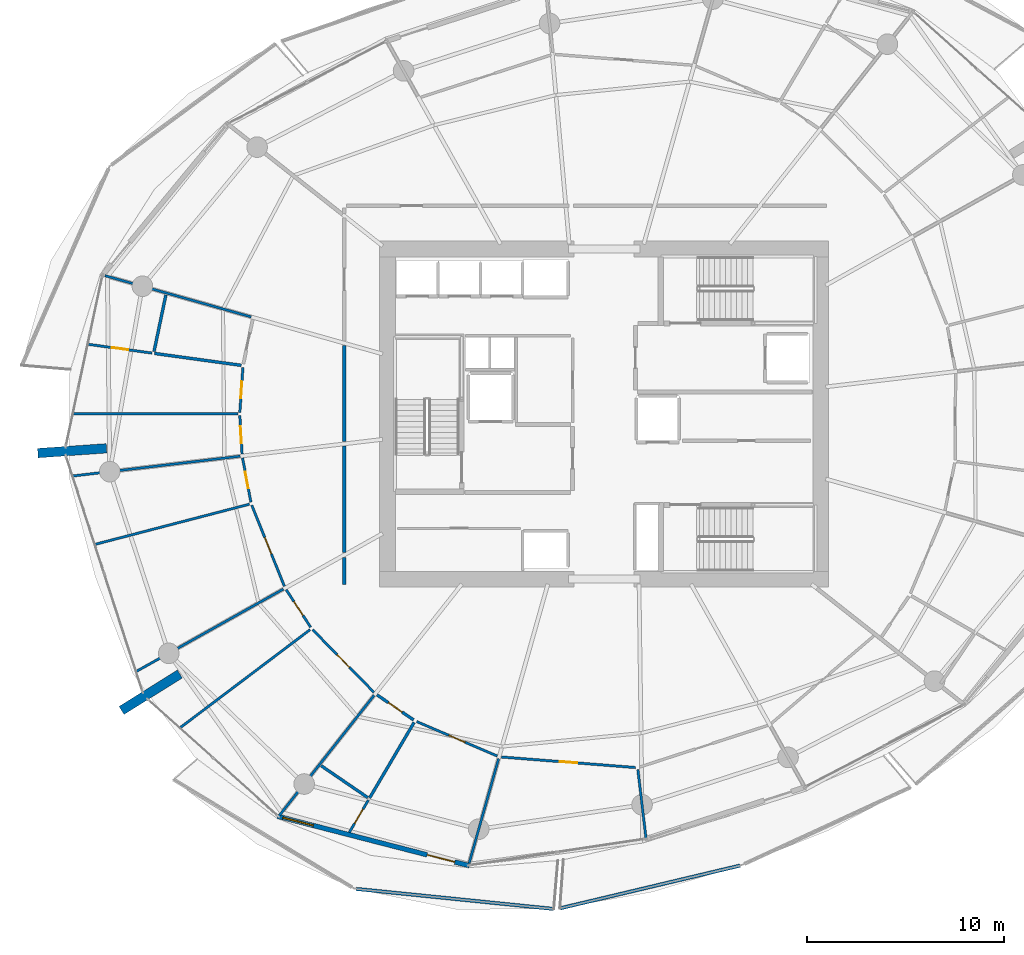
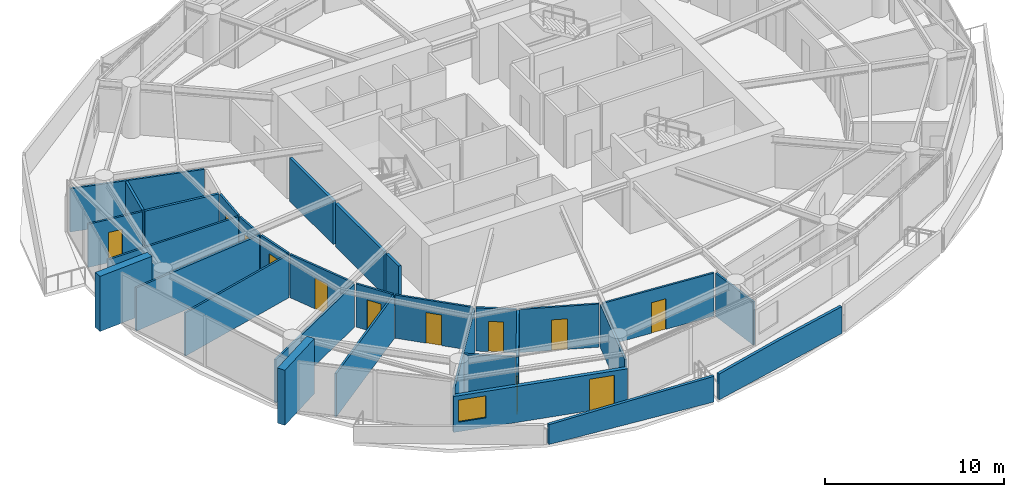
# One storey, part 11 of 20: 32 walls, 12 doors, 1 window, 13 openings.
"""IFC4 building model written with IfcOpenShell, lengths in metres."""

from ifc_helpers import new_model, si_unit, direction, frame, frame_2d, origin, place, context, subcontext, project, spatial, polyline, rectangle, outline, extrude, material, layer, layer_set, type_object, element, fill, save


model = new_model("IFC4")

# Units and contexts
model_context = context("Model", 3, precision=1e-05, world=origin(), true_north=direction((0.0, 1.0)))
body_context = subcontext(model_context, "Body", "Model", "MODEL_VIEW")
ifc_project = project(units=[si_unit("LENGTHUNIT", "METRE"), si_unit("AREAUNIT", "SQUARE_METRE"), si_unit("VOLUMEUNIT", "CUBIC_METRE"), si_unit("PLANEANGLEUNIT", "RADIAN"), si_unit("MASSUNIT", "GRAM", prefix="KILO")], contexts=[model_context])

# Site, building, storey
site_placement = place(None, origin())
site = spatial("IfcSite", under=ifc_project, at=site_placement, CompositionType="ELEMENT")
building_placement = place(site_placement, origin())
building = spatial("IfcBuilding", under=site, at=building_placement, Name="Kazma Halo Residences", CompositionType="ELEMENT")
storey_placement = place(building_placement, frame((0.0, 0.0, 139.050048828125)))
storey = spatial("IfcBuildingStorey", under=building, at=storey_placement, Name="L34", CompositionType="ELEMENT", Elevation=139.050048828125)

# Walls
ifc_material_1 = material(Name="White Concrete C50/60 Balustrade", Category="concrete")
ifc_layer_1 = layer(ifc_material_1, 0.179931640625)
ifc_layer_set_1 = layer_set([ifc_layer_1], Name="White Concrete C50/60 Balustrade")
wall_type_1 = type_object("IfcWallType", Name="WL-BAL-WAVE-180", PredefinedType="PARAPET", material=ifc_layer_set_1)
wall_1_placement = place(storey_placement, frame((35.814697265625, 17.83837890625, 0.0), z_axis=(0.0, 0.0, 1.0), x_axis=(0.994889887917, -0.100965889886, 0.0)))
element("IfcWall", 1, at=wall_1_placement, inside=storey, type_object=wall_type_1, Name="L34 white wave balustrade wall SW.2", PredefinedType="PARAPET", context=body_context, shape_type="SweptSolid", body=[
    extrude(outline(polyline([(0.0, 0.0), (10.10009765625, 0.0), (10.10009765625, 1.7470703125), (5.050048828125, 1.56201171875), (0.0, 1.347900390625), (0.0, 0.0)])), frame((0.0, 0.08984375, 0.0), z_axis=(0.0, -1.0, 0.0), x_axis=(1.0, 0.0, 0.0)), (0.0, 0.0, 1.0), 0.179931640625),
])
wall_2_placement = place(storey_placement, frame((46.175048828125, 16.849365234375, 0.0), z_axis=(0.0, 0.0, 1.0), x_axis=(0.972947039014, 0.231028265098, 0.0)))
element("IfcWall", 2, at=wall_2_placement, inside=storey, type_object=wall_type_1, Name="L34 white wave balustrade wall SSE.1", PredefinedType="PARAPET", context=body_context, shape_type="SweptSolid", body=[
    extrude(outline(polyline([(0.0, 0.0), (9.4189453125, 0.0), (9.418701171875, 1.83203125), (4.70947265625, 1.85302734375), (0.0, 1.755859375), (0.0, 0.0)])), frame((0.0, 0.08984375, 0.0), z_axis=(0.0, -1.0, 0.0), x_axis=(1.0, 0.0, 0.0)), (0.0, 0.0, 1.0), 0.179931640625),
])
ifc_material_2 = material(Name="Pale Concrete C60/75", Category="concrete")
ifc_layer_2 = layer(ifc_material_2, 0.47998046875)
ifc_layer_set_2 = layer_set([ifc_layer_2], Name="Pale Concrete C60/75")
wall_type_2 = type_object("IfcWallType", Name="WL-BLADE-480", PredefinedType="SOLIDWALL", material=ifc_layer_set_2)
for number, where, z_axis, x_axis, name in (
    (3, (23.10302734375, 40.259033203125, 0.0), (0.0, 0.0, 1.0), (-0.997564163539, -0.069754853754, 0.0), "L34 pale concrete structural blade fin wall BW-02"),
    (4, (26.834716796875, 28.7744140625, 0.0), (0.0, 0.0, 1.0), (-0.848053161125, -0.529911158502, 0.0), "L34 pale concrete structural blade fin wall BW-03"),
):
    element("IfcWall", number, at=place(storey_placement, frame(where, z_axis=z_axis, x_axis=x_axis)), inside=storey, type_object=wall_type_2, Name=name, PredefinedType="SOLIDWALL", context=body_context, shape_type="SweptSolid", body=[
        extrude(rectangle(XDim=3.5, YDim=0.47998046875, at=frame_2d((1.75, 0.0))), origin(), (0.0, 0.0, 1.0), 3.75),
    ])
ifc_material_3 = material(Name="Acoustic Twin-Stud Gypsum")
ifc_layer_3 = layer(ifc_material_3, 0.179931640625)
ifc_layer_set_3 = layer_set([ifc_layer_3], Name="Acoustic Twin-Stud Gypsum")
wall_type_3 = type_object("IfcWallType", Name="WL-DEM-180", PredefinedType="PARTITIONING", material=ifc_layer_set_3)
wall_3_placement = place(storey_placement, frame((35.199951171875, 45.489990234375, 0.0), z_axis=(0.0, 0.0, 1.0), x_axis=(0.0, -1.0, 0.0)))
element("IfcWall", 5, at=wall_3_placement, inside=storey, type_object=wall_type_3, Name="L34 Apartment 1 inner wall 6", PredefinedType="PARTITIONING", context=body_context, shape_type="SweptSolid", body=[
    extrude(rectangle(XDim=4.885009765625, YDim=0.179931640625, at=frame_2d((2.4423828125, 0.0))), origin(), (0.0, 0.0, 1.0), 2.93994140625),
])
wall_4_placement = place(storey_placement, frame((35.199951171875, 40.364990234375, 0.0), z_axis=(0.0, 0.0, 1.0), x_axis=(0.0, -1.0, 0.0)))
element("IfcWall", 6, at=wall_4_placement, inside=storey, type_object=wall_type_3, Name="L34 Apartment 1 inner wall 7", PredefinedType="PARTITIONING", context=body_context, shape_type="SweptSolid", body=[
    extrude(rectangle(XDim=5.413330078125, YDim=0.179931640625, at=frame_2d((2.70654296875, 0.0))), origin(), (0.0, 0.0, 1.0), 2.93994140625),
])
wall_5_placement = place(storey_placement, frame((35.199951171875, 34.711669921875, 0.0), z_axis=(0.0, 0.0, 1.0), x_axis=(0.0, -1.0, 0.0)))
element("IfcWall", 7, at=wall_5_placement, inside=storey, type_object=wall_type_3, Name="L34 Apartment 1 inner wall 8", PredefinedType="PARTITIONING", context=body_context, shape_type="SweptSolid", body=[
    extrude(rectangle(XDim=1.3916015625, YDim=0.179931640625, at=frame_2d((0.69580078125, 0.0))), origin(), (0.0, 0.0, 1.0), 2.93994140625),
])

# Wall, openings, door, window
ifc_material_4 = material(Name="Insulated Pale-Metal Composite Wall")
ifc_layer_4 = layer(ifc_material_4, 0.239990234375)
ifc_layer_set_4 = layer_set([ifc_layer_4], Name="Insulated Pale-Metal Composite Wall")
wall_type_4 = type_object("IfcWallType", Name="WL-EXT-HOST-240", PredefinedType="SOLIDWALL", material=ifc_layer_set_4)
wall_6_placement = place(storey_placement, frame((31.807861328125, 21.5341796875, 0.0), z_axis=(0.0, 0.0, 1.0), x_axis=(0.968379685126, -0.249481032214, 0.0)))
wall_6 = element("IfcWall", 8, at=wall_6_placement, inside=storey, type_object=wall_type_4, Name="L34 exterior terrace-access wall B10", PredefinedType="SOLIDWALL", context=body_context, shape_type="SweptSolid", body=[
    extrude(rectangle(XDim=10.08154296875, YDim=0.239990234375, at=frame_2d((5.040771484375, 0.0))), origin(), (0.0, 0.0, 1.0), 2.449951171875),
])
opening_1_placement = place(wall_6_placement, frame((7.861572265625, 0.0, 0.0)))
opening_1 = element("IfcOpeningElement", 9, at=opening_1_placement, cuts=wall_6, Name="Opening DTR-1600", PredefinedType="OPENING", context=body_context, shape_type="SweptSolid", body=[
    extrude(rectangle(XDim=1.449951171875, YDim=2.14990234375, at=frame_2d((0.72509765625, 1.074951171875))), frame((0.0, 0.1298828125, 0.0), z_axis=(0.0, -1.0, 0.0), x_axis=(1.0, 0.0, 0.0)), (0.0, 0.0, 1.0), 0.260009765625),
])
opening_2_placement = place(wall_6_placement, frame((0.280029296875, 0.0, 0.64990234375)))
opening_2 = element("IfcOpeningElement", 10, at=opening_2_placement, cuts=wall_6, Name="Opening W-1800", PredefinedType="OPENING", context=body_context, shape_type="SweptSolid", body=[
    extrude(rectangle(XDim=1.60009765625, YDim=1.5, at=frame_2d((0.800048828125, 0.75))), frame((0.0, 0.1298828125, 0.0), z_axis=(0.0, -1.0, 0.0), x_axis=(1.0, 0.0, 0.0)), (0.0, 0.0, 1.0), 0.260009765625),
])
ifc_material_5 = material(Name="Aluminium AW-6063 T6 Double-Glazed Terrace Door", Category="aluminium")
door_type_1 = type_object("IfcDoorType", Name="DR-EXT-TERR-1600", OperationType="NOTDEFINED", PredefinedType="DOOR", material=ifc_material_5)
door_1_placement = place(opening_1_placement, origin())
door_1 = element("IfcDoor", 11, at=door_1_placement, inside=storey, type_object=door_type_1, Name="L34 B10 balcony terrace door", OperationType="DOUBLE_DOOR_SLIDING", OverallHeight=2.14990234375, OverallWidth=1.449951171875, PredefinedType="DOOR", context=body_context, shape_type="SweptSolid", body=[
    extrude(rectangle(XDim=1.449951171875, YDim=2.14990234375, at=frame_2d((0.72509765625, 1.074951171875))), frame((0.0, 0.02490234375, 0.0), z_axis=(0.0, -1.0, 0.0), x_axis=(1.0, 0.0, 0.0)), (0.0, 0.0, 1.0), 0.050048828125),
])
fill(opening_1, door_1)
ifc_material_6 = material(Name="Clear Triple-Silver Low-E Glass in Aluminium AW-6063 T6 Frame", Category="aluminium")
window_type = type_object("IfcWindowType", Name="WIN-RES-1800", PartitioningType="DOUBLE_PANEL_VERTICAL", PredefinedType="WINDOW", material=ifc_material_6)
window_placement = place(opening_2_placement, origin())
window = element("IfcWindow", 12, at=window_placement, inside=storey, type_object=window_type, Name="L34 B10 apartment window", OverallHeight=1.5, OverallWidth=1.60009765625, PartitioningType="SINGLE_PANEL", PredefinedType="WINDOW", context=body_context, shape_type="SweptSolid", body=[
    extrude(rectangle(XDim=1.60009765625, YDim=1.5, at=frame_2d((0.800048828125, 0.75))), frame((0.0, 0.030029296875, 0.0), z_axis=(0.0, -1.0, 0.0), x_axis=(1.0, 0.0, 0.0)), (0.0, 0.0, 1.0), 0.06005859375),
])
fill(opening_2, window)

# Wall
ifc_material_7 = material(Name="Gypsum Plasterboard Partition")
ifc_layer_5 = layer(ifc_material_7, 0.125)
ifc_layer_set_5 = layer_set([ifc_layer_5], Name="Gypsum Plasterboard Partition")
wall_type_5 = type_object("IfcWallType", Name="WL-PART-125", PredefinedType="PARTITIONING", material=ifc_layer_set_5)
wall_7_placement = place(storey_placement, frame((30.465087890625, 46.9453125, 0.0), z_axis=(0.0, 0.0, 1.0), x_axis=(-0.962456021196, 0.271437667363, 0.0)))
element("IfcWall", 13, at=wall_7_placement, inside=storey, type_object=wall_type_5, Name="L34 Apartment 1 radial partition 6", PredefinedType="PARTITIONING", context=body_context, shape_type="SweptSolid", body=[
    extrude(rectangle(XDim=7.732421875, YDim=0.125, at=frame_2d((3.8662109375, 0.0))), origin(), (0.0, 0.0, 1.0), 2.93994140625),
])

# Wall, opening, door
wall_8_placement = place(storey_placement, frame((25.41357421875, 45.10595703125, 0.0), z_axis=(0.0, 0.0, 1.0), x_axis=(-0.990676070786, 0.136238477576, 0.0)))
wall_8 = element("IfcWall", 14, at=wall_8_placement, inside=storey, type_object=wall_type_5, Name="L34 Apartment 1 Household Store Room partition wall", PredefinedType="PARTITIONING", context=body_context, shape_type="SweptSolid", body=[
    extrude(rectangle(XDim=3.272216796875, YDim=0.125, at=frame_2d((1.63623046875, 0.0))), origin(), (0.0, 0.0, 1.0), 2.93994140625),
])
opening_3_placement = place(wall_8_placement, frame((1.211181640625, 0.0, 0.0)))
opening_3 = element("IfcOpeningElement", 15, at=opening_3_placement, cuts=wall_8, Name="Opening DB-900", PredefinedType="OPENING", context=body_context, shape_type="SweptSolid", body=[
    extrude(rectangle(XDim=0.85009765625, YDim=2.06005859375, at=frame_2d((0.425048828125, 1.030029296875))), frame((0.0, 0.072509765625, 0.0), z_axis=(0.0, -1.0, 0.0), x_axis=(1.0, 0.0, 0.0)), (0.0, 0.0, 1.0), 0.14501953125),
])
ifc_material_8 = material(Name="Moisture-Sealed Timber Leaf", Category="wood")
door_type_2 = type_object("IfcDoorType", Name="DR-BTH-900", OperationType="NOTDEFINED", PredefinedType="DOOR", material=ifc_material_8)
door_2_placement = place(opening_3_placement, origin())
door_2 = element("IfcDoor", 16, at=door_2_placement, inside=storey, type_object=door_type_2, Name="L34 Apartment 1 Household Store Room door", OperationType="SINGLE_SWING_RIGHT", OverallHeight=2.06005859375, OverallWidth=0.85009765625, PredefinedType="DOOR", context=body_context, shape_type="SweptSolid", body=[
    extrude(rectangle(XDim=0.85009765625, YDim=2.06005859375, at=frame_2d((0.425048828125, 1.030029296875))), frame((0.0, 0.02490234375, 0.0), z_axis=(0.0, -1.0, 0.0), x_axis=(1.0, 0.0, 0.0)), (0.0, 0.0, 1.0), 0.050048828125),
])
fill(opening_3, door_2)

# Wall
wall_9_placement = place(storey_placement, frame((29.791015625, 42.009521484375, 0.0), z_axis=(0.0, 0.0, 1.0), x_axis=(-0.999999862447, 0.000524506018, 0.0)))
element("IfcWall", 17, at=wall_9_placement, inside=storey, type_object=wall_type_5, Name="L34 Apartment 1 suite divider 6", PredefinedType="PARTITIONING", context=body_context, shape_type="SweptSolid", body=[
    extrude(rectangle(XDim=8.37841796875, YDim=0.125, at=frame_2d((4.189208984375, 0.0))), origin(), (0.0, 0.0, 1.0), 2.93994140625),
])

# Wall, opening, door
wall_10_placement = place(storey_placement, frame((30.043701171875, 44.378662109375, 0.0), z_axis=(0.0, 0.0, 1.0), x_axis=(-0.068510010266, -0.997650429005, 0.0)))
wall_10 = element("IfcWall", 18, at=wall_10_placement, inside=storey, type_object=wall_type_5, Name="L34 Apartment 1 Gourmet Kitchen hall wall", PredefinedType="PARTITIONING", context=body_context, shape_type="SweptSolid", body=[
    extrude(rectangle(XDim=2.294921875, YDim=0.125, at=frame_2d((1.1474609375, 0.0))), origin(), (0.0, 0.0, 1.0), 2.93994140625),
])
opening_4_placement = place(wall_10_placement, frame((0.722412109375, 0.0, 0.0)))
opening_4 = element("IfcOpeningElement", 19, at=opening_4_placement, cuts=wall_10, Name="Opening DB-900", PredefinedType="OPENING", context=body_context, shape_type="SweptSolid", body=[
    extrude(rectangle(XDim=0.85009765625, YDim=2.06005859375, at=frame_2d((0.425048828125, 1.030029296875))), frame((0.0, 0.072509765625, 0.0), z_axis=(0.0, -1.0, 0.0), x_axis=(1.0, 0.0, 0.0)), (0.0, 0.0, 1.0), 0.14501953125),
])
door_3_placement = place(opening_4_placement, origin())
door_3 = element("IfcDoor", 20, at=door_3_placement, inside=storey, type_object=door_type_2, Name="L34 Apartment 1 Gourmet Kitchen door", OperationType="SINGLE_SWING_LEFT", OverallHeight=2.06005859375, OverallWidth=0.85009765625, PredefinedType="DOOR", context=body_context, shape_type="SweptSolid", body=[
    extrude(rectangle(XDim=0.85009765625, YDim=2.06005859375, at=frame_2d((0.425048828125, 1.030029296875))), frame((0.0, 0.02490234375, 0.0), z_axis=(0.0, -1.0, 0.0), x_axis=(1.0, 0.0, 0.0)), (0.0, 0.0, 1.0), 0.050048828125),
])
fill(opening_4, door_3)

wall_11_placement = place(storey_placement, frame((29.8857421875, 41.929443359375, 0.0), z_axis=(0.0, 0.0, 1.0), x_axis=(0.058590761666, -0.998282085709, 0.0)))
wall_11 = element("IfcWall", 21, at=wall_11_placement, inside=storey, type_object=wall_type_5, Name="L34 Apartment 1 Primary Bedroom hall wall", PredefinedType="PARTITIONING", context=body_context, shape_type="SweptSolid", body=[
    extrude(rectangle(XDim=1.962646484375, YDim=0.125, at=frame_2d((0.9814453125, 0.0))), origin(), (0.0, 0.0, 1.0), 2.93994140625),
])
opening_5_placement = place(wall_11_placement, frame((0.556396484375, 0.0, 0.0)))
opening_5 = element("IfcOpeningElement", 22, at=opening_5_placement, cuts=wall_11, Name="Opening DB-900", PredefinedType="OPENING", context=body_context, shape_type="SweptSolid", body=[
    extrude(rectangle(XDim=0.85009765625, YDim=2.06005859375, at=frame_2d((0.425048828125, 1.030029296875))), frame((0.0, 0.072509765625, 0.0), z_axis=(0.0, -1.0, 0.0), x_axis=(1.0, 0.0, 0.0)), (0.0, 0.0, 1.0), 0.14501953125),
])
door_4_placement = place(opening_5_placement, origin())
door_4 = element("IfcDoor", 23, at=door_4_placement, inside=storey, type_object=door_type_2, Name="L34 Apartment 1 Primary Bedroom door", OperationType="SINGLE_SWING_RIGHT", OverallHeight=2.06005859375, OverallWidth=0.85009765625, PredefinedType="DOOR", context=body_context, shape_type="SweptSolid", body=[
    extrude(rectangle(XDim=0.85009765625, YDim=2.06005859375, at=frame_2d((0.425048828125, 1.030029296875))), frame((0.0, 0.02490234375, 0.0), z_axis=(0.0, -1.0, 0.0), x_axis=(1.0, 0.0, 0.0)), (0.0, 0.0, 1.0), 0.050048828125),
])
fill(opening_5, door_4)

# Walls
wall_12_placement = place(storey_placement, frame((29.9072265625, 39.8583984375, 0.0), z_axis=(0.0, 0.0, 1.0), x_axis=(-0.993070228419, -0.117522429465, 0.0)))
element("IfcWall", 24, at=wall_12_placement, inside=storey, type_object=wall_type_5, Name="L34 Apartment 1 radial partition 7", PredefinedType="PARTITIONING", context=body_context, shape_type="SweptSolid", body=[
    extrude(rectangle(XDim=8.567138671875, YDim=0.125, at=frame_2d((4.28369140625, 0.0))), origin(), (0.0, 0.0, 1.0), 2.93994140625),
])
wall_13_placement = place(storey_placement, frame((30.37744140625, 37.416259765625, 0.0), z_axis=(0.0, 0.0, 1.0), x_axis=(-0.967798305948, -0.251726913549, 0.0)))
element("IfcWall", 25, at=wall_13_placement, inside=storey, type_object=wall_type_5, Name="L34 Apartment 1 mid-bay wall 7", PredefinedType="PARTITIONING", context=body_context, shape_type="SweptSolid", body=[
    extrude(rectangle(XDim=8.109130859375, YDim=0.125, at=frame_2d((4.0546875, 0.0))), origin(), (0.0, 0.0, 1.0), 2.93994140625),
])

# Wall, opening, door
wall_14_placement = place(storey_placement, frame((30.025146484375, 39.77197265625, 0.0), z_axis=(0.0, 0.0, 1.0), x_axis=(0.185072404157, -0.98272488786, 0.0)))
wall_14 = element("IfcWall", 26, at=wall_14_placement, inside=storey, type_object=wall_type_5, Name="L34 Apartment 1 Primary Wine Pantry Store hall wall", PredefinedType="PARTITIONING", context=body_context, shape_type="SweptSolid", body=[
    extrude(rectangle(XDim=2.2939453125, YDim=0.125, at=frame_2d((1.14697265625, 0.0))), origin(), (0.0, 0.0, 1.0), 2.93994140625),
])
opening_6_placement = place(wall_14_placement, frame((0.72216796875, 0.0, 0.0)))
opening_6 = element("IfcOpeningElement", 27, at=opening_6_placement, cuts=wall_14, Name="Opening DB-900", PredefinedType="OPENING", context=body_context, shape_type="SweptSolid", body=[
    extrude(rectangle(XDim=0.85009765625, YDim=2.06005859375, at=frame_2d((0.425048828125, 1.030029296875))), frame((0.0, 0.072509765625, 0.0), z_axis=(0.0, -1.0, 0.0), x_axis=(1.0, 0.0, 0.0)), (0.0, 0.0, 1.0), 0.14501953125),
])
door_5_placement = place(opening_6_placement, origin())
door_5 = element("IfcDoor", 28, at=door_5_placement, inside=storey, type_object=door_type_2, Name="L34 Apartment 1 Primary Wine Pantry Store door", OperationType="SINGLE_SWING_RIGHT", OverallHeight=2.06005859375, OverallWidth=0.85009765625, PredefinedType="DOOR", context=body_context, shape_type="SweptSolid", body=[
    extrude(rectangle(XDim=0.85009765625, YDim=2.06005859375, at=frame_2d((0.425048828125, 1.030029296875))), frame((0.0, 0.02490234375, 0.0), z_axis=(0.0, -1.0, 0.0), x_axis=(1.0, 0.0, 0.0)), (0.0, 0.0, 1.0), 0.050048828125),
])
fill(opening_6, door_5)

wall_15_placement = place(storey_placement, frame((30.494384765625, 37.36474609375, 0.0), z_axis=(0.0, 0.0, 1.0), x_axis=(0.373198093248, -0.927751681861, 0.0)))
wall_15 = element("IfcWall", 29, at=wall_15_placement, inside=storey, type_object=wall_type_5, Name="L34 Apartment 1 Secondary Formal Dining Room hall wall", PredefinedType="PARTITIONING", context=body_context, shape_type="SweptSolid", body=[
    extrude(rectangle(XDim=4.446533203125, YDim=0.125, at=frame_2d((2.22314453125, 0.0))), origin(), (0.0, 0.0, 1.0), 2.93994140625),
])
opening_7_placement = place(wall_15_placement, frame((1.773193359375, 0.0, 0.0)))
opening_7 = element("IfcOpeningElement", 30, at=opening_7_placement, cuts=wall_15, Name="Opening DI-950", PredefinedType="OPENING", context=body_context, shape_type="SweptSolid", body=[
    extrude(rectangle(XDim=0.89990234375, YDim=2.080078125, at=frame_2d((0.449951171875, 1.0400390625))), frame((0.0, 0.072509765625, 0.0), z_axis=(0.0, -1.0, 0.0), x_axis=(1.0, 0.0, 0.0)), (0.0, 0.0, 1.0), 0.14501953125),
])
ifc_material_9 = material(Name="Timber Veneer Flush Leaf", Category="wood")
door_type_3 = type_object("IfcDoorType", Name="DR-INT-950", OperationType="NOTDEFINED", PredefinedType="DOOR", material=ifc_material_9)
door_6_placement = place(opening_7_placement, origin())
door_6 = element("IfcDoor", 31, at=door_6_placement, inside=storey, type_object=door_type_3, Name="L34 Apartment 1 Secondary Formal Dining Room door", OperationType="SINGLE_SWING_LEFT", OverallHeight=2.080078125, OverallWidth=0.89990234375, PredefinedType="DOOR", context=body_context, shape_type="SweptSolid", body=[
    extrude(rectangle(XDim=0.89990234375, YDim=2.080078125, at=frame_2d((0.449951171875, 1.0400390625))), frame((0.0, 0.02490234375, 0.0), z_axis=(0.0, -1.0, 0.0), x_axis=(1.0, 0.0, 0.0)), (0.0, 0.0, 1.0), 0.050048828125),
])
fill(opening_7, door_6)

# Walls
wall_16_placement = place(storey_placement, frame((32.10400390625, 33.097900390625, 0.0), z_axis=(0.0, 0.0, 1.0), x_axis=(-0.872488035617, -0.488635475283, 0.0)))
element("IfcWall", 32, at=wall_16_placement, inside=storey, type_object=wall_type_5, Name="L34 Apartment 1 radial partition 8", PredefinedType="PARTITIONING", context=body_context, shape_type="SweptSolid", body=[
    extrude(rectangle(XDim=8.5673828125, YDim=0.125, at=frame_2d((4.28369140625, 0.0))), origin(), (0.0, 0.0, 1.0), 2.93994140625),
])
wall_17_placement = place(storey_placement, frame((33.46435546875, 31.03271484375, 0.0), z_axis=(0.0, 0.0, 1.0), x_axis=(-0.798260006805, -0.602313009602, 0.0)))
element("IfcWall", 33, at=wall_17_placement, inside=storey, type_object=wall_type_5, Name="L34 Apartment 1 mid-bay wall 8", PredefinedType="PARTITIONING", context=body_context, shape_type="SweptSolid", body=[
    extrude(rectangle(XDim=8.283203125, YDim=0.125, at=frame_2d((4.1416015625, 0.0))), origin(), (0.0, 0.0, 1.0), 2.93994140625),
])

# Wall, opening, door
wall_18_placement = place(storey_placement, frame((32.245849609375, 33.06298828125, 0.0), z_axis=(0.0, 0.0, 1.0), x_axis=(0.54671843355, -0.837316519852, 0.0)))
wall_18 = element("IfcWall", 34, at=wall_18_placement, inside=storey, type_object=wall_type_5, Name="L34 Apartment 1 East Dressing Wardrobe hall wall", PredefinedType="PARTITIONING", context=body_context, shape_type="SweptSolid", body=[
    extrude(rectangle(XDim=2.280029296875, YDim=0.125, at=frame_2d((1.14013671875, 0.0))), origin(), (0.0, 0.0, 1.0), 2.93994140625),
])
opening_8_placement = place(wall_18_placement, frame((0.715087890625, 0.0, 0.0)))
opening_8 = element("IfcOpeningElement", 35, at=opening_8_placement, cuts=wall_18, Name="Opening DB-900", PredefinedType="OPENING", context=body_context, shape_type="SweptSolid", body=[
    extrude(rectangle(XDim=0.85009765625, YDim=2.06005859375, at=frame_2d((0.425048828125, 1.030029296875))), frame((0.0, 0.072509765625, 0.0), z_axis=(0.0, -1.0, 0.0), x_axis=(1.0, 0.0, 0.0)), (0.0, 0.0, 1.0), 0.14501953125),
])
door_7_placement = place(opening_8_placement, origin())
door_7 = element("IfcDoor", 36, at=door_7_placement, inside=storey, type_object=door_type_2, Name="L34 Apartment 1 East Dressing Wardrobe door", OperationType="SINGLE_SWING_LEFT", OverallHeight=2.06005859375, OverallWidth=0.85009765625, PredefinedType="DOOR", context=body_context, shape_type="SweptSolid", body=[
    extrude(rectangle(XDim=0.85009765625, YDim=2.06005859375, at=frame_2d((0.425048828125, 1.030029296875))), frame((0.0, 0.02490234375, 0.0), z_axis=(0.0, -1.0, 0.0), x_axis=(1.0, 0.0, 0.0)), (0.0, 0.0, 1.0), 0.050048828125),
])
fill(opening_8, door_7)

wall_19_placement = place(storey_placement, frame((33.59228515625, 31.02978515625, 0.0), z_axis=(0.0, 0.0, 1.0), x_axis=(0.699540960256, -0.714592502707, 0.0)))
wall_19 = element("IfcWall", 37, at=wall_19_placement, inside=storey, type_object=wall_type_5, Name="L34 Apartment 1 West Master Bedroom hall wall", PredefinedType="PARTITIONING", context=body_context, shape_type="SweptSolid", body=[
    extrude(rectangle(XDim=4.460693359375, YDim=0.125, at=frame_2d((2.23046875, 0.0))), origin(), (0.0, 0.0, 1.0), 2.93994140625),
])
opening_9_placement = place(wall_19_placement, frame((1.7802734375, 0.0, 0.0)))
opening_9 = element("IfcOpeningElement", 38, at=opening_9_placement, cuts=wall_19, Name="Opening DI-950", PredefinedType="OPENING", context=body_context, shape_type="SweptSolid", body=[
    extrude(rectangle(XDim=0.89990234375, YDim=2.080078125, at=frame_2d((0.449951171875, 1.0400390625))), frame((0.0, 0.072509765625, 0.0), z_axis=(0.0, -1.0, 0.0), x_axis=(1.0, 0.0, 0.0)), (0.0, 0.0, 1.0), 0.14501953125),
])
door_8_placement = place(opening_9_placement, origin())
door_8 = element("IfcDoor", 39, at=door_8_placement, inside=storey, type_object=door_type_3, Name="L34 Apartment 1 West Master Bedroom door", OperationType="SINGLE_SWING_RIGHT", OverallHeight=2.080078125, OverallWidth=0.89990234375, PredefinedType="DOOR", context=body_context, shape_type="SweptSolid", body=[
    extrude(rectangle(XDim=0.89990234375, YDim=2.080078125, at=frame_2d((0.449951171875, 1.0400390625))), frame((0.0, 0.02490234375, 0.0), z_axis=(0.0, -1.0, 0.0), x_axis=(1.0, 0.0, 0.0)), (0.0, 0.0, 1.0), 0.050048828125),
])
fill(opening_9, door_8)

# Wall
wall_20_placement = place(storey_placement, frame((36.720703125, 27.6923828125, 0.0), z_axis=(0.0, 0.0, 1.0), x_axis=(-0.619091325953, -0.785318998962, 0.0)))
element("IfcWall", 40, at=wall_20_placement, inside=storey, type_object=wall_type_5, Name="L34 Apartment 1 radial partition 9", PredefinedType="PARTITIONING", context=body_context, shape_type="SweptSolid", body=[
    extrude(rectangle(XDim=7.832763671875, YDim=0.125, at=frame_2d((3.91650390625, 0.0))), origin(), (0.0, 0.0, 1.0), 2.93994140625),
])

# Wall, opening, door
wall_21_placement = place(storey_placement, frame((36.42529296875, 22.35791015625, 0.0), z_axis=(0.0, 0.0, 1.0), x_axis=(-0.507653216709, -0.861561496102, 0.0)))
wall_21 = element("IfcWall", 41, at=wall_21_placement, inside=storey, type_object=wall_type_5, Name="L34 Apartment 1 South Walk-In Wardrobe partition wall", PredefinedType="PARTITIONING", context=body_context, shape_type="SweptSolid", body=[
    extrude(rectangle(XDim=1.904052734375, YDim=0.125, at=frame_2d((0.9521484375, 0.0))), origin(), (0.0, 0.0, 1.0), 2.93994140625),
])
opening_10_placement = place(wall_21_placement, frame((0.52685546875, 0.0, 0.0)))
opening_10 = element("IfcOpeningElement", 42, at=opening_10_placement, cuts=wall_21, Name="Opening DB-900", PredefinedType="OPENING", context=body_context, shape_type="SweptSolid", body=[
    extrude(rectangle(XDim=0.85009765625, YDim=2.06005859375, at=frame_2d((0.425048828125, 1.030029296875))), frame((0.0, 0.072509765625, 0.0), z_axis=(0.0, -1.0, 0.0), x_axis=(1.0, 0.0, 0.0)), (0.0, 0.0, 1.0), 0.14501953125),
])
door_9_placement = place(opening_10_placement, origin())
door_9 = element("IfcDoor", 43, at=door_9_placement, inside=storey, type_object=door_type_2, Name="L34 Apartment 1 South Walk-In Wardrobe door", OperationType="SINGLE_SWING_LEFT", OverallHeight=2.06005859375, OverallWidth=0.85009765625, PredefinedType="DOOR", context=body_context, shape_type="SweptSolid", body=[
    extrude(rectangle(XDim=0.85009765625, YDim=2.06005859375, at=frame_2d((0.425048828125, 1.030029296875))), frame((0.0, 0.02490234375, 0.0), z_axis=(0.0, -1.0, 0.0), x_axis=(1.0, 0.0, 0.0)), (0.0, 0.0, 1.0), 0.050048828125),
])
fill(opening_10, door_9)

wall_22_placement = place(storey_placement, frame((38.884033203125, 26.354248046875, 0.0), z_axis=(0.0, 0.0, 1.0), x_axis=(0.919625189591, -0.392797034955, 0.0)))
wall_22 = element("IfcWall", 44, at=wall_22_placement, inside=storey, type_object=wall_type_5, Name="L34 Apartment 1 Inner Master Bedroom hall wall", PredefinedType="PARTITIONING", context=body_context, shape_type="SweptSolid", body=[
    extrude(rectangle(XDim=4.464599609375, YDim=0.125, at=frame_2d((2.232421875, 0.0))), origin(), (0.0, 0.0, 1.0), 2.93994140625),
])
opening_11_placement = place(wall_22_placement, frame((1.7822265625, 0.0, 0.0)))
opening_11 = element("IfcOpeningElement", 45, at=opening_11_placement, cuts=wall_22, Name="Opening DI-950", PredefinedType="OPENING", context=body_context, shape_type="SweptSolid", body=[
    extrude(rectangle(XDim=0.89990234375, YDim=2.080078125, at=frame_2d((0.449951171875, 1.0400390625))), frame((0.0, 0.072509765625, 0.0), z_axis=(0.0, -1.0, 0.0), x_axis=(1.0, 0.0, 0.0)), (0.0, 0.0, 1.0), 0.14501953125),
])
door_10_placement = place(opening_11_placement, origin())
door_10 = element("IfcDoor", 46, at=door_10_placement, inside=storey, type_object=door_type_3, Name="L34 Apartment 1 Inner Master Bedroom door", OperationType="SINGLE_SWING_RIGHT", OverallHeight=2.080078125, OverallWidth=0.89990234375, PredefinedType="DOOR", context=body_context, shape_type="SweptSolid", body=[
    extrude(rectangle(XDim=0.89990234375, YDim=2.080078125, at=frame_2d((0.449951171875, 1.0400390625))), frame((0.0, 0.02490234375, 0.0), z_axis=(0.0, -1.0, 0.0), x_axis=(1.0, 0.0, 0.0)), (0.0, 0.0, 1.0), 0.050048828125),
])
fill(opening_11, door_10)

# Wall
wall_23_placement = place(storey_placement, frame((43.0546875, 24.465087890625, 0.0), z_axis=(0.0, 0.0, 1.0), x_axis=(-0.271448610669, -0.962452934831, 0.0)))
element("IfcWall", 47, at=wall_23_placement, inside=storey, type_object=wall_type_5, Name="L34 Apartment 1 radial partition 10", PredefinedType="PARTITIONING", context=body_context, shape_type="SweptSolid", body=[
    extrude(rectangle(XDim=5.5205078125, YDim=0.125, at=frame_2d((2.76025390625, 0.0))), origin(), (0.0, 0.0, 1.0), 2.93994140625),
])

# Wall, opening, door
wall_24_placement = place(storey_placement, frame((43.19140625, 24.552734375, 0.0), z_axis=(0.0, 0.0, 1.0), x_axis=(0.996915344956, -0.078484361444, 0.0)))
wall_24 = element("IfcWall", 48, at=wall_24_placement, inside=storey, type_object=wall_type_5, Name="L34 Apartment 1 Outer Master Bedroom gallery wall", PredefinedType="PARTITIONING", context=body_context, shape_type="SweptSolid", body=[
    extrude(rectangle(XDim=6.849853515625, YDim=0.125, at=frame_2d((3.4248046875, 0.0))), origin(), (0.0, 0.0, 1.0), 2.93994140625),
])
opening_12_placement = place(wall_24_placement, frame((2.974853515625, 0.0, 0.0)))
opening_12 = element("IfcOpeningElement", 49, at=opening_12_placement, cuts=wall_24, Name="Opening DI-950", PredefinedType="OPENING", context=body_context, shape_type="SweptSolid", body=[
    extrude(rectangle(XDim=0.89990234375, YDim=2.080078125, at=frame_2d((0.449951171875, 1.0400390625))), frame((0.0, 0.072509765625, 0.0), z_axis=(0.0, -1.0, 0.0), x_axis=(1.0, 0.0, 0.0)), (0.0, 0.0, 1.0), 0.14501953125),
])
door_11_placement = place(opening_12_placement, origin())
door_11 = element("IfcDoor", 50, at=door_11_placement, inside=storey, type_object=door_type_3, Name="L34 Apartment 1 Outer Master Bedroom door", OperationType="SINGLE_SWING_LEFT", OverallHeight=2.080078125, OverallWidth=0.89990234375, PredefinedType="DOOR", context=body_context, shape_type="SweptSolid", body=[
    extrude(rectangle(XDim=0.89990234375, YDim=2.080078125, at=frame_2d((0.449951171875, 1.0400390625))), frame((0.0, 0.02490234375, 0.0), z_axis=(0.0, -1.0, 0.0), x_axis=(1.0, 0.0, 0.0)), (0.0, 0.0, 1.0), 0.050048828125),
])
fill(opening_12, door_11)

# Walls
wall_25_placement = place(storey_placement, frame((50.1416015625, 23.9072265625, 0.0), z_axis=(0.0, 0.0, 1.0), x_axis=(0.11750202185, -0.993072643295, 0.0)))
element("IfcWall", 51, at=wall_25_placement, inside=storey, type_object=wall_type_5, Name="L34 Apartment 1 radial partition 11", PredefinedType="PARTITIONING", context=body_context, shape_type="SweptSolid", body=[
    extrude(rectangle(XDim=3.515625, YDim=0.125, at=frame_2d((1.7578125, 0.0))), origin(), (0.0, 0.0, 1.0), 2.93994140625),
])
ifc_material_10 = material(Name="Moisture-Resistant Gypsum")
ifc_layer_6 = layer(ifc_material_10, 0.14990234375)
ifc_layer_set_6 = layer_set([ifc_layer_6], Name="Moisture-Resistant Gypsum")
wall_type_6 = type_object("IfcWallType", Name="WL-WET-150", PredefinedType="PARTITIONING", material=ifc_layer_set_6)
wall_26_placement = place(storey_placement, frame((26.123291015625, 48.066162109375, 0.0), z_axis=(0.0, 0.0, 1.0), x_axis=(-0.204410847423, -0.978885185022, 0.0)))
element("IfcWall", 52, at=wall_26_placement, inside=storey, type_object=wall_type_6, Name="L34 Apartment 1 Guest Bathroom back wall", PredefinedType="PARTITIONING", context=body_context, shape_type="SweptSolid", body=[
    extrude(rectangle(XDim=2.946533203125, YDim=0.14990234375, at=frame_2d((1.47314453125, 0.0))), origin(), (0.0, 0.0, 1.0), 2.93994140625),
])
wall_27_placement = place(storey_placement, frame((29.960693359375, 44.480712890625, 0.0), z_axis=(0.0, 0.0, 1.0), x_axis=(-0.99067496126, 0.136246545396, 0.0)))
element("IfcWall", 53, at=wall_27_placement, inside=storey, type_object=wall_type_6, Name="L34 Apartment 1 Guest Bathroom side wall", PredefinedType="PARTITIONING", context=body_context, shape_type="SweptSolid", body=[
    extrude(rectangle(XDim=4.4599609375, YDim=0.14990234375, at=frame_2d((2.22998046875, 0.0))), origin(), (0.0, 0.0, 1.0), 2.93994140625),
])

# Wall, opening, door
wall_28_placement = place(storey_placement, frame((36.864990234375, 27.71435546875, 0.0), z_axis=(0.0, 0.0, 1.0), x_axis=(0.825296643152, -0.564699434037, 0.0)))
wall_28 = element("IfcWall", 54, at=wall_28_placement, inside=storey, type_object=wall_type_6, Name="L34 Apartment 1 North En-Suite Bathroom hall wall", PredefinedType="PARTITIONING", context=body_context, shape_type="SweptSolid", body=[
    extrude(rectangle(XDim=2.255859375, YDim=0.14990234375, at=frame_2d((1.1279296875, 0.0))), origin(), (0.0, 0.0, 1.0), 2.93994140625),
])
opening_13_placement = place(wall_28_placement, frame((0.702880859375, 0.0, 0.0)))
opening_13 = element("IfcOpeningElement", 55, at=opening_13_placement, cuts=wall_28, Name="Opening DB-900", PredefinedType="OPENING", context=body_context, shape_type="SweptSolid", body=[
    extrude(rectangle(XDim=0.85009765625, YDim=2.06005859375, at=frame_2d((0.425048828125, 1.030029296875))), frame((0.0, 0.0849609375, 0.0), z_axis=(0.0, -1.0, 0.0), x_axis=(1.0, 0.0, 0.0)), (0.0, 0.0, 1.0), 0.169921875),
])
door_12_placement = place(opening_13_placement, origin())
door_12 = element("IfcDoor", 56, at=door_12_placement, inside=storey, type_object=door_type_2, Name="L34 Apartment 1 North En-Suite Bathroom door", OperationType="SINGLE_SWING_RIGHT", OverallHeight=2.06005859375, OverallWidth=0.85009765625, PredefinedType="DOOR", context=body_context, shape_type="SweptSolid", body=[
    extrude(rectangle(XDim=0.85009765625, YDim=2.06005859375, at=frame_2d((0.425048828125, 1.030029296875))), frame((0.0, 0.02490234375, 0.0), z_axis=(0.0, -1.0, 0.0), x_axis=(1.0, 0.0, 0.0)), (0.0, 0.0, 1.0), 0.050048828125),
])
fill(opening_13, door_12)

# Walls
wall_29_placement = place(storey_placement, frame((34.0234375, 24.109619140625, 0.0), z_axis=(0.0, 0.0, 1.0), x_axis=(0.825328087742, -0.564653475667, 0.0)))
element("IfcWall", 57, at=wall_29_placement, inside=storey, type_object=wall_type_6, Name="L34 Apartment 1 North En-Suite Bathroom back wall", PredefinedType="PARTITIONING", context=body_context, shape_type="SweptSolid", body=[
    extrude(rectangle(XDim=2.875244140625, YDim=0.14990234375, at=frame_2d((1.4375, 0.0))), origin(), (0.0, 0.0, 1.0), 2.93994140625),
])
wall_30_placement = place(storey_placement, frame((38.755615234375, 26.312255859375, 0.0), z_axis=(0.0, 0.0, 1.0), x_axis=(-0.507701739566, -0.8615329034, 0.0)))
element("IfcWall", 58, at=wall_30_placement, inside=storey, type_object=wall_type_6, Name="L34 Apartment 1 North En-Suite Bathroom side wall", PredefinedType="PARTITIONING", context=body_context, shape_type="SweptSolid", body=[
    extrude(rectangle(XDim=4.460205078125, YDim=0.14990234375, at=frame_2d((2.22998046875, 0.0))), origin(), (0.0, 0.0, 1.0), 2.93994140625),
])

save(model, "model.ifc")
